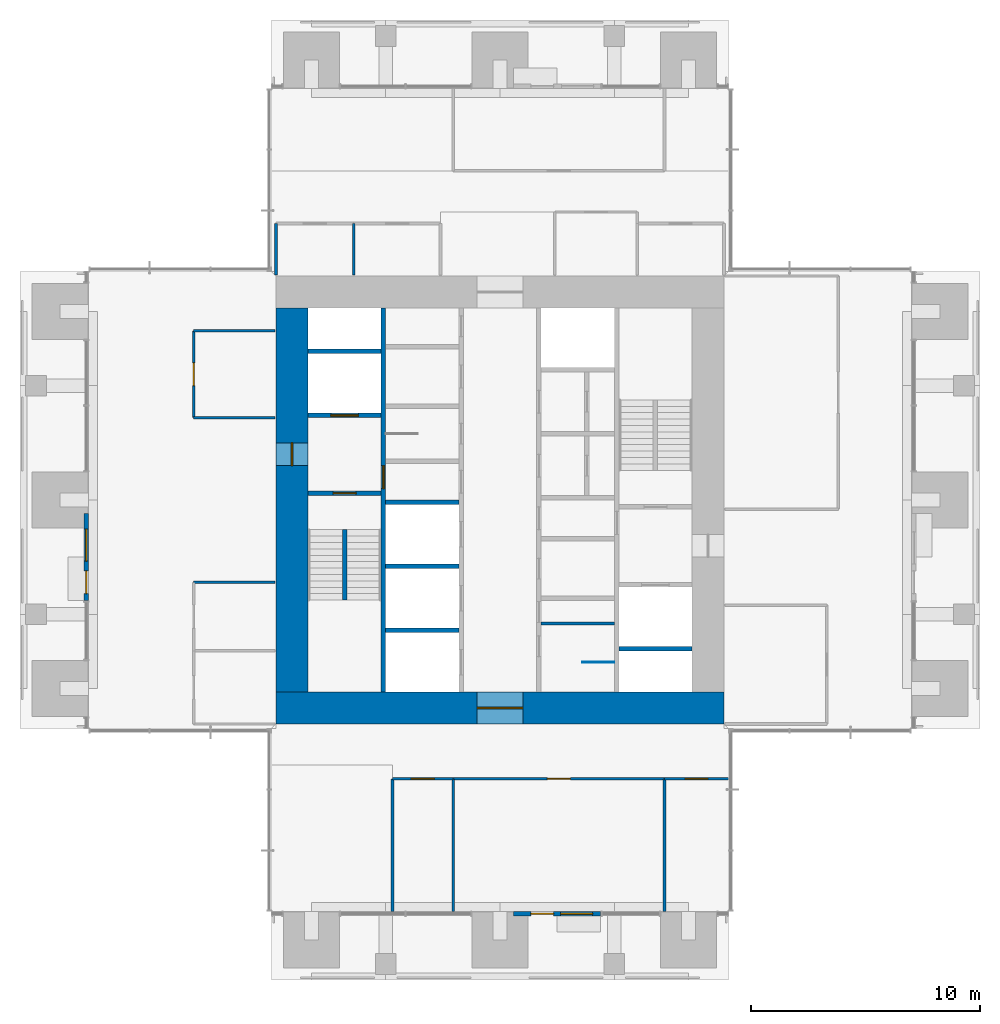
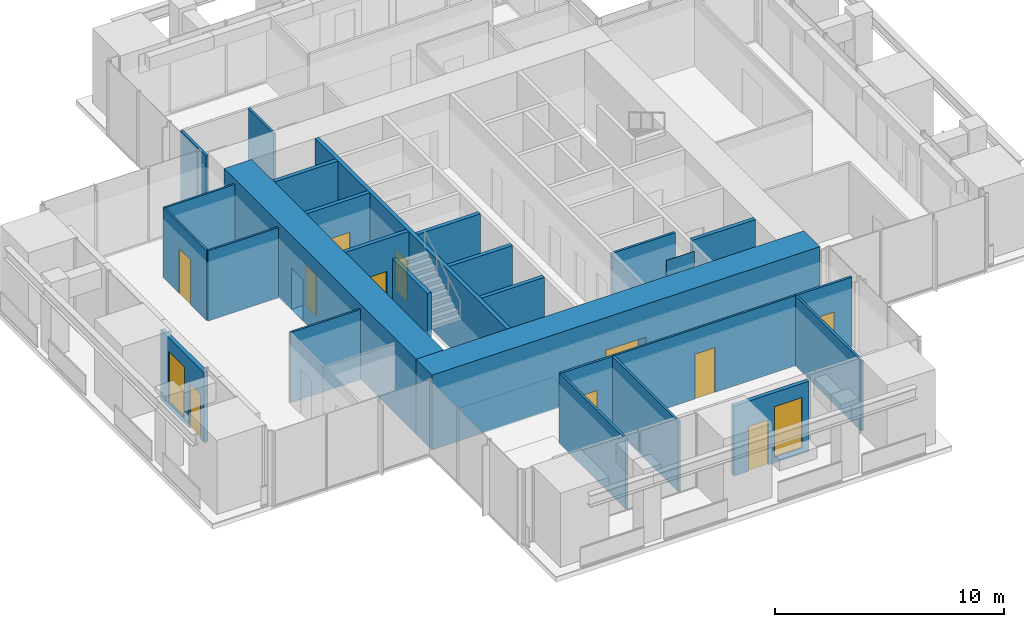
# One storey, part 12 of 17: 27 walls, 11 doors, 2 windows, 13 openings.
"""IFC4 building model written with IfcOpenShell, lengths in metres."""

import ifcopenshell
import ifcopenshell.guid

model = None  # the IFC model being written
_history = None  # IfcOwnerHistory: only IFC2X3 demands one
_inside = {}  # id of a spatial element -> (the spatial element, [elements in it])
_under = {}  # id of a project, library or spatial element -> (it, [spatial elements below it])
_declared = {}  # id of a project -> (the project, [libraries it declares])
_typed = {}  # id of a type object -> (the type object, [elements of that type])
_made_of = {}  # id of a material, layer set ... -> (it, [elements and type objects made of it])


def new_model(schema):
    """Start an empty IFC model of exactly this schema.

    Asked for "IFC4X3", IfcOpenShell would pick the latest addendum, in which some entities
    have other attributes; the version numbers below select the first issue.
    IFC2X3 requires an IfcOwnerHistory on every rooted entity: one is made here for all.
    """
    global model, _history
    if schema == "IFC4X3":
        model = ifcopenshell.file(schema_version=(4, 3, 0, 0))
    else:
        model = ifcopenshell.file(schema=schema)
    _inside.clear()
    _under.clear()
    _declared.clear()
    _typed.clear()
    _made_of.clear()
    _history = None
    if model.schema == "IFC2X3":
        org = make("IfcOrganization", Name="unknown")
        user = make(
            "IfcPersonAndOrganization",
            ThePerson=make("IfcPerson", FamilyName="unknown"),
            TheOrganization=org,
        )
        app = make(
            "IfcApplication",
            ApplicationDeveloper=org,
            Version="unknown",
            ApplicationFullName="unknown",
            ApplicationIdentifier="unknown",
        )
        _history = make(
            "IfcOwnerHistory",
            OwningUser=user,
            OwningApplication=app,
            ChangeAction="ADDED",
            CreationDate=0,
        )
    return model


def make(cls, **values):
    """One entity of the class cls with the attributes given. An attribute that is None is left unset."""
    return model.create_entity(
        cls, **{name: value for name, value in values.items() if value is not None}
    )


def rooted(cls, **values):
    """An entity with a GlobalId (a new one), such as an element, a storey or a relation."""
    return make(cls, GlobalId=ifcopenshell.guid.new(), OwnerHistory=_history, **values)


def si_unit(unit_type, name, prefix=None):
    """IfcSIUnit, for example si_unit("LENGTHUNIT", "METRE", prefix="MILLI")."""
    return make("IfcSIUnit", UnitType=unit_type, Prefix=prefix, Name=name)


def assignment(units):
    """IfcUnitAssignment: the units of a project."""
    return None if units is None else make("IfcUnitAssignment", Units=units)


def point(xyz):
    """IfcCartesianPoint."""
    return None if xyz is None else make("IfcCartesianPoint", Coordinates=xyz)


def direction(xyz):
    """IfcDirection."""
    return None if xyz is None else make("IfcDirection", DirectionRatios=xyz)


def frame(location, z_axis=None, x_axis=None):
    """IfcAxis2Placement3D, a coordinate frame: its origin and axes. An axis left out is left unset."""
    return make(
        "IfcAxis2Placement3D",
        Location=point(location),
        Axis=direction(z_axis),
        RefDirection=direction(x_axis),
    )


def frame_2d(location, x_axis=None):
    """IfcAxis2Placement2D, a coordinate frame in the plane: its origin and x axis."""
    return make(
        "IfcAxis2Placement2D", Location=point(location), RefDirection=direction(x_axis)
    )


def origin():
    """The frame at (0, 0, 0) with its axes left unset."""
    return frame((0.0, 0.0, 0.0))


def place(relative_to, where):
    """IfcLocalPlacement: puts the frame where relative to a parent placement (None: the world)."""
    return make(
        "IfcLocalPlacement", PlacementRelTo=relative_to, RelativePlacement=where
    )


def context(
    kind, dimensions, precision=None, world=None, true_north=None, identifier=None
):
    """IfcGeometricRepresentationContext, for example the 3D "Model" context."""
    return make(
        "IfcGeometricRepresentationContext",
        ContextIdentifier=identifier,
        ContextType=kind,
        CoordinateSpaceDimension=dimensions,
        Precision=precision,
        WorldCoordinateSystem=world,
        TrueNorth=true_north,
    )


def subcontext(parent, identifier, kind, view, scale=None):
    """IfcGeometricRepresentationSubContext, for example "Body" below "Model"."""
    return make(
        "IfcGeometricRepresentationSubContext",
        ContextIdentifier=identifier,
        ContextType=kind,
        ParentContext=parent,
        TargetScale=scale,
        TargetView=view,
    )


def project(units=None, contexts=None):
    """IfcProject with its units and contexts."""
    return rooted(
        "IfcProject",
        Name="project",
        RepresentationContexts=contexts,
        UnitsInContext=assignment(units),
    )


def spatial(cls, under=None, at=None, **own):
    """A site, building, storey or space (cls), placed at a placement, below another one or the project."""
    s = rooted(cls, ObjectPlacement=at, **own)
    if under is not None:
        _under.setdefault(under.id(), (under, []))[1].append(s)
    return s


def profile(cls, at=None, kind="AREA", **sizes):
    """A parametric profile (cls). Its sizes go by their IFC names, for example OverallWidth=200.0."""
    return make(cls, ProfileType=kind, Position=at, **sizes)


def rectangle(**sizes):
    """IfcRectangleProfileDef."""
    return profile("IfcRectangleProfileDef", **sizes)


def extrude(swept, where, along, depth):
    """IfcExtrudedAreaSolid: the profile swept, set in the frame where, extruded along a direction by depth."""
    return make(
        "IfcExtrudedAreaSolid",
        SweptArea=swept,
        Position=where,
        ExtrudedDirection=direction(along),
        Depth=depth,
    )


def shape(context_of_items, identifier, shape_type, items):
    """IfcShapeRepresentation: the items that make up one representation, for example the "Body"."""
    return make(
        "IfcShapeRepresentation",
        ContextOfItems=context_of_items,
        RepresentationIdentifier=identifier,
        RepresentationType=shape_type,
        Items=items,
    )


def material(Name=None, Category=None):
    """IfcMaterial."""
    return make("IfcMaterial", Name=Name, Category=Category)


def layer(
    of_material, thickness, ventilated=None, Name=None, Category=None, Priority=None
):
    """IfcMaterialLayer: one layer of a wall or slab, of a material (None: an air gap)."""
    return make(
        "IfcMaterialLayer",
        Material=of_material,
        LayerThickness=thickness,
        IsVentilated=ventilated,
        Name=Name,
        Category=Category,
        Priority=Priority,
    )


def layer_set(layers, Name=None):
    """IfcMaterialLayerSet."""
    return make("IfcMaterialLayerSet", MaterialLayers=layers, LayerSetName=Name)


def made_of(thing, what):
    """Note that an element or type object is made of a material, layer set ...; save() writes the relation."""
    if what is not None:
        _made_of.setdefault(what.id(), (what, []))[1].append(thing)
    return thing


def type_object(cls, material=None, **own):
    """A type object (cls), such as IfcWallType, which elements share."""
    return made_of(rooted(cls, **own), material)


def element(
    cls,
    number,
    at=None,
    inside=None,
    cuts=None,
    type_object=None,
    material=None,
    context=None,
    identifier="Body",
    shape_type=None,
    held_by="IfcProductDefinitionShape",
    body=None,
    shapes=None,
    **own,
):
    """One element of the class cls, such as IfcWall. Its Tag is "e" and its number.

    at: its placement. inside: the storey or other place that contains it. cuts: it is an
    opening in that element (IfcRelVoidsElement). A single representation is given by context,
    identifier, shape_type and body (its items); several are given by shapes. held_by: the class
    of the entity that holds the representations. save() writes the other relations.
    """
    e = rooted(cls, Tag="e%d" % number, ObjectPlacement=at, **own)
    if body is not None:
        shapes = [shape(context, identifier, shape_type, body)]
    if shapes is not None:
        e.Representation = make(held_by, Representations=shapes)
    if inside is not None:
        _inside.setdefault(inside.id(), (inside, []))[1].append(e)
    if cuts is not None:
        rooted(
            "IfcRelVoidsElement", RelatingBuildingElement=cuts, RelatedOpeningElement=e
        )
    if type_object is not None:
        _typed.setdefault(type_object.id(), (type_object, []))[1].append(e)
    return made_of(e, material)


def fill(opening, filler):
    """IfcRelFillsElement: the door or window that sits in an opening."""
    return rooted(
        "IfcRelFillsElement",
        RelatingOpeningElement=opening,
        RelatedBuildingElement=filler,
    )


def aggregate(whole, parts):
    """IfcRelAggregates: a whole, such as a stair, and the parts it consists of."""
    return rooted("IfcRelAggregates", RelatingObject=whole, RelatedObjects=parts)


def save(model, path):
    """Write the relations noted so far, then the file.

    IfcRelAggregates (storeys below a building ...), IfcRelContainedInSpatialStructure (elements
    in a storey), IfcRelDefinesByType, IfcRelAssociatesMaterial and IfcRelDeclares: one each for
    every whole, place, type object, material and project.
    """
    for whole, parts in _under.values():
        aggregate(whole, parts)
    for where, things in _inside.values():
        rooted(
            "IfcRelContainedInSpatialStructure",
            RelatedElements=things,
            RelatingStructure=where,
        )
    for kind, things in _typed.values():
        rooted("IfcRelDefinesByType", RelatedObjects=things, RelatingType=kind)
    for what, things in _made_of.values():
        rooted("IfcRelAssociatesMaterial", RelatedObjects=things, RelatingMaterial=what)
    for by, libraries in _declared.values():
        rooted("IfcRelDeclares", RelatingContext=by, RelatedDefinitions=libraries)
    model.write(path)


model = new_model("IFC4")

# Units and contexts
model_context = context("Model", 3, precision=1e-05, world=origin(), true_north=direction((0.0, 1.0)))
body_context = subcontext(model_context, "Body", "Model", "MODEL_VIEW")
ifc_project = project(units=[si_unit("LENGTHUNIT", "METRE"), si_unit("AREAUNIT", "SQUARE_METRE"), si_unit("VOLUMEUNIT", "CUBIC_METRE"), si_unit("PLANEANGLEUNIT", "RADIAN"), si_unit("MASSUNIT", "GRAM", prefix="KILO")], contexts=[model_context])

# Site, building, storey
site_placement = place(None, origin())
site = spatial("IfcSite", under=ifc_project, at=site_placement, CompositionType="ELEMENT")
building_placement = place(site_placement, origin())
building = spatial("IfcBuilding", under=site, at=building_placement, Name="Svetlomir Tower", CompositionType="ELEMENT")
storey_placement = place(building_placement, frame((0.0, 0.0, 218.5)))
storey = spatial("IfcBuildingStorey", under=building, at=storey_placement, Name="L52", CompositionType="ELEMENT", Elevation=218.5)

# Wall, openings, door, window
ifc_material_1 = material(Name="Bronze anodised aluminium glazed screen", Category="aluminium")
ifc_layer_1 = layer(ifc_material_1, 0.199951171875)
ifc_layer_set_1 = layer_set([ifc_layer_1], Name="Bronze anodised aluminium glazed screen")
wall_type_1 = type_object("IfcWallType", Name="BALCONY SCREEN WALL 200", PredefinedType="USERDEFINED", material=ifc_layer_set_1)
wall_1_placement = place(storey_placement, frame((21.60009765625, 2.89990234375, 0.0), z_axis=(0.0, 0.0, 1.0), x_axis=(1.0, 0.0, 0.0)))
wall_1 = element("IfcWall", 1, at=wall_1_placement, inside=storey, type_object=wall_type_1, Name="Balcony screen S", ObjectType="GLAZED SCREEN", PredefinedType="USERDEFINED", context=body_context, shape_type="SweptSolid", body=[
    extrude(rectangle(XDim=3.7998046875, YDim=0.199951171875, at=frame_2d((1.89990234375, 0.0))), origin(), (0.0, 0.0, 1.0), 3.75),
])
opening_1_placement = place(wall_1_placement, frame((0.75, 0.0, 0.0)))
opening_1 = element("IfcOpeningElement", 2, at=opening_1_placement, cuts=wall_1, Name="Opening BD", PredefinedType="OPENING", context=body_context, shape_type="SweptSolid", body=[
    extrude(rectangle(XDim=1.0, YDim=2.39990234375, at=frame_2d((0.5, 1.199951171875))), frame((0.0, 0.10986328125, 0.0), z_axis=(0.0, -1.0, 0.0), x_axis=(1.0, 0.0, 0.0)), (0.0, 0.0, 1.0), 0.219970703125),
])
opening_2_placement = place(wall_1_placement, frame((2.050048828125, 0.0, 0.300048828125)))
opening_2 = element("IfcOpeningElement", 3, at=opening_2_placement, cuts=wall_1, Name="Opening WS2", PredefinedType="OPENING", context=body_context, shape_type="SweptSolid", body=[
    extrude(rectangle(XDim=1.39990234375, YDim=2.699951171875, at=frame_2d((0.699951171875, 1.35009765625))), frame((0.0, 0.10986328125, 0.0), z_axis=(0.0, -1.0, 0.0), x_axis=(1.0, 0.0, 0.0)), (0.0, 0.0, 1.0), 0.219970703125),
])
ifc_material_2 = material(Name="Bronze anodised aluminium glazed door", Category="aluminium")
door_type_1 = type_object("IfcDoorType", Name="BALCONY DOOR BD 1000x2400", OperationType="SINGLE_SWING_LEFT", PredefinedType="DOOR", material=ifc_material_2)
door_1_placement = place(opening_1_placement, origin())
door_1 = element("IfcDoor", 4, at=door_1_placement, inside=storey, type_object=door_type_1, Name="Balcony screen S door", OperationType="SINGLE_SWING_LEFT", OverallHeight=2.39990234375, OverallWidth=1.0, PredefinedType="DOOR", context=body_context, shape_type="SweptSolid", body=[
    extrude(rectangle(XDim=1.0, YDim=2.39990234375, at=frame_2d((0.5, 1.199951171875))), frame((0.0, 0.02490234375, 0.0), z_axis=(0.0, -1.0, 0.0), x_axis=(1.0, 0.0, 0.0)), (0.0, 0.0, 1.0), 0.050048828125),
])
fill(opening_1, door_1)
ifc_material_3 = material(Name="Bronze anodised aluminium window", Category="aluminium")
window_type = type_object("IfcWindowType", Name="SCREEN WINDOW WS2 1400x2700", PartitioningType="SINGLE_PANEL", PredefinedType="WINDOW", material=ifc_material_3)
window_1_placement = place(opening_2_placement, origin())
window_1 = element("IfcWindow", 5, at=window_1_placement, inside=storey, type_object=window_type, Name="Balcony screen S window 1", OverallHeight=2.699951171875, OverallWidth=1.39990234375, PartitioningType="SINGLE_PANEL", PredefinedType="WINDOW", context=body_context, shape_type="SweptSolid", body=[
    extrude(rectangle(XDim=1.39990234375, YDim=2.699951171875, at=frame_2d((0.699951171875, 1.35009765625))), frame((0.0, 0.030029296875, 0.0), z_axis=(0.0, -1.0, 0.0), x_axis=(1.0, 0.0, 0.0)), (0.0, 0.0, 1.0), 0.06005859375),
])
fill(opening_2, window_1)

wall_2_placement = place(storey_placement, frame((2.89990234375, 20.39990234375, 0.0), z_axis=(0.0, 0.0, 1.0), x_axis=(0.0, -1.0, 0.0)))
wall_2 = element("IfcWall", 6, at=wall_2_placement, inside=storey, type_object=wall_type_1, Name="Balcony screen W", ObjectType="GLAZED SCREEN", PredefinedType="USERDEFINED", context=body_context, shape_type="SweptSolid", body=[
    extrude(rectangle(XDim=3.7998046875, YDim=0.199951171875, at=frame_2d((1.89990234375, 0.0))), origin(), (0.0, 0.0, 1.0), 3.75),
])
opening_3_placement = place(wall_2_placement, frame((2.5, 0.0, 0.0)))
opening_3 = element("IfcOpeningElement", 7, at=opening_3_placement, cuts=wall_2, Name="Opening BD", PredefinedType="OPENING", context=body_context, shape_type="SweptSolid", body=[
    extrude(rectangle(XDim=1.0, YDim=2.39990234375, at=frame_2d((0.5, 1.199951171875))), frame((0.0, 0.10986328125, 0.0), z_axis=(0.0, -1.0, 0.0), x_axis=(1.0, 0.0, 0.0)), (0.0, 0.0, 1.0), 0.219970703125),
])
opening_4_placement = place(wall_2_placement, frame((0.675048828125, 0.0, 0.300048828125)))
opening_4 = element("IfcOpeningElement", 8, at=opening_4_placement, cuts=wall_2, Name="Opening WS2", PredefinedType="OPENING", context=body_context, shape_type="SweptSolid", body=[
    extrude(rectangle(XDim=1.39990234375, YDim=2.699951171875, at=frame_2d((0.699951171875, 1.35009765625))), frame((0.0, 0.10986328125, 0.0), z_axis=(0.0, -1.0, 0.0), x_axis=(1.0, 0.0, 0.0)), (0.0, 0.0, 1.0), 0.219970703125),
])
door_2_placement = place(opening_3_placement, origin())
door_2 = element("IfcDoor", 9, at=door_2_placement, inside=storey, type_object=door_type_1, Name="Balcony screen W door", OperationType="SINGLE_SWING_LEFT", OverallHeight=2.39990234375, OverallWidth=1.0, PredefinedType="DOOR", context=body_context, shape_type="SweptSolid", body=[
    extrude(rectangle(XDim=1.0, YDim=2.39990234375, at=frame_2d((0.5, 1.199951171875))), frame((0.0, 0.02490234375, 0.0), z_axis=(0.0, -1.0, 0.0), x_axis=(1.0, 0.0, 0.0)), (0.0, 0.0, 1.0), 0.050048828125),
])
fill(opening_3, door_2)
window_2_placement = place(opening_4_placement, origin())
window_2 = element("IfcWindow", 10, at=window_2_placement, inside=storey, type_object=window_type, Name="Balcony screen W window 1", OverallHeight=2.699951171875, OverallWidth=1.39990234375, PartitioningType="SINGLE_PANEL", PredefinedType="WINDOW", context=body_context, shape_type="SweptSolid", body=[
    extrude(rectangle(XDim=1.39990234375, YDim=2.699951171875, at=frame_2d((0.699951171875, 1.35009765625))), frame((0.0, 0.030029296875, 0.0), z_axis=(0.0, -1.0, 0.0), x_axis=(1.0, 0.0, 0.0)), (0.0, 0.0, 1.0), 0.06005859375),
])
fill(opening_4, window_2)

# Wall, opening, door
ifc_material_4 = material(Name="Concrete C60/75", Category="concrete")
ifc_layer_2 = layer(ifc_material_4, 0.199951171875)
ifc_layer_set_2 = layer_set([ifc_layer_2], Name="Concrete C60/75")
wall_type_2 = type_object("IfcWallType", Name="CORE INNER WALL 200", PredefinedType="SHEAR", material=ifc_layer_set_2)
wall_3_placement = place(storey_placement, frame((15.89990234375, 12.60009765625, -0.050048828125), z_axis=(0.0, 0.0, 1.0), x_axis=(0.0, 1.0, 0.0)))
wall_3 = element("IfcWall", 11, at=wall_3_placement, inside=storey, type_object=wall_type_2, Name="Core inner wall 15.9 L52", PredefinedType="SHEAR", context=body_context, shape_type="SweptSolid", body=[
    extrude(rectangle(XDim=16.7998046875, YDim=0.199951171875, at=frame_2d((8.39990234375, 0.0))), origin(), (0.0, 0.0, 1.0), 4.0),
])
opening_5_placement = place(wall_3_placement, frame((8.89990234375, 0.0, 0.050048828125)))
opening_5 = element("IfcOpeningElement", 12, at=opening_5_placement, cuts=wall_3, Name="Opening DF", PredefinedType="OPENING", context=body_context, shape_type="SweptSolid", body=[
    extrude(rectangle(XDim=1.0, YDim=2.199951171875, at=frame_2d((0.5, 1.10009765625))), frame((0.0, 0.10986328125, 0.0), z_axis=(0.0, -1.0, 0.0), x_axis=(1.0, 0.0, 0.0)), (0.0, 0.0, 1.0), 0.219970703125),
])
ifc_material_5 = material(Name="Steel fire door", Category="steel")
door_type_2 = type_object("IfcDoorType", Name="DOOR DF 1000x2200", OperationType="SINGLE_SWING_LEFT", PredefinedType="DOOR", material=ifc_material_5)
door_3_placement = place(opening_5_placement, origin())
door_3 = element("IfcDoor", 13, at=door_3_placement, inside=storey, type_object=door_type_2, Name="Core corridor west door L52", OperationType="SINGLE_SWING_LEFT", OverallHeight=2.199951171875, OverallWidth=1.0, PredefinedType="DOOR", context=body_context, shape_type="SweptSolid", body=[
    extrude(rectangle(XDim=1.0, YDim=2.199951171875, at=frame_2d((0.5, 1.10009765625))), frame((0.0, 0.02490234375, 0.0), z_axis=(0.0, -1.0, 0.0), x_axis=(1.0, 0.0, 0.0)), (0.0, 0.0, 1.0), 0.050048828125),
])
fill(opening_5, door_3)

wall_4_placement = place(storey_placement, frame((12.60009765625, 21.300048828125, -0.050048828125), z_axis=(0.0, 0.0, 1.0), x_axis=(1.0, 0.0, 0.0)))
wall_4 = element("IfcWall", 14, at=wall_4_placement, inside=storey, type_object=wall_type_2, Name="Core inner wall 12.6-15.8/21.3 L52", PredefinedType="SHEAR", context=body_context, shape_type="SweptSolid", body=[
    extrude(rectangle(XDim=3.199951171875, YDim=0.199951171875, at=frame_2d((1.60009765625, 0.0))), origin(), (0.0, 0.0, 1.0), 4.0),
])
opening_6_placement = place(wall_4_placement, frame((1.10009765625, 0.0, 0.050048828125)))
opening_6 = element("IfcOpeningElement", 15, at=opening_6_placement, cuts=wall_4, Name="Opening DF", PredefinedType="OPENING", context=body_context, shape_type="SweptSolid", body=[
    extrude(rectangle(XDim=1.0, YDim=2.199951171875, at=frame_2d((0.5, 1.10009765625))), frame((0.0, 0.10986328125, 0.0), z_axis=(0.0, -1.0, 0.0), x_axis=(1.0, 0.0, 0.0)), (0.0, 0.0, 1.0), 0.219970703125),
])
door_4_placement = place(opening_6_placement, origin())
door_4 = element("IfcDoor", 16, at=door_4_placement, inside=storey, type_object=door_type_2, Name="Stair S1 door L52", OperationType="SINGLE_SWING_RIGHT", OverallHeight=2.199951171875, OverallWidth=1.0, PredefinedType="DOOR", context=body_context, shape_type="SweptSolid", body=[
    extrude(rectangle(XDim=1.0, YDim=2.199951171875, at=frame_2d((0.5, 1.10009765625))), frame((0.0, 0.02490234375, 0.0), z_axis=(0.0, -1.0, 0.0), x_axis=(1.0, 0.0, 0.0)), (0.0, 0.0, 1.0), 0.050048828125),
])
fill(opening_6, door_4)

wall_5_placement = place(storey_placement, frame((12.60009765625, 24.699951171875, -0.050048828125), z_axis=(0.0, 0.0, 1.0), x_axis=(1.0, 0.0, 0.0)))
wall_5 = element("IfcWall", 17, at=wall_5_placement, inside=storey, type_object=wall_type_2, Name="Core inner wall 12.6-15.8/24.7 L52", PredefinedType="SHEAR", context=body_context, shape_type="SweptSolid", body=[
    extrude(rectangle(XDim=3.199951171875, YDim=0.199951171875, at=frame_2d((1.60009765625, 0.0))), origin(), (0.0, 0.0, 1.0), 4.0),
])
opening_7_placement = place(wall_5_placement, frame((1.0, 0.0, 0.050048828125)))
opening_7 = element("IfcOpeningElement", 18, at=opening_7_placement, cuts=wall_5, Name="Opening LD3", PredefinedType="OPENING", context=body_context, shape_type="SweptSolid", body=[
    extrude(rectangle(XDim=1.199951171875, YDim=2.199951171875, at=frame_2d((0.60009765625, 1.10009765625))), frame((0.0, 0.10986328125, 0.0), z_axis=(0.0, -1.0, 0.0), x_axis=(1.0, 0.0, 0.0)), (0.0, 0.0, 1.0), 0.219970703125),
])
ifc_material_6 = material(Name="Stainless steel fire-rated landing door", Category="steel")
door_type_3 = type_object("IfcDoorType", Name="FIREFIGHTING LIFT LANDING DOOR LD3 1200x2200", OperationType="DOUBLE_DOOR_SLIDING", PredefinedType="DOOR", material=ifc_material_6)
door_5_placement = place(opening_7_placement, origin())
door_5 = element("IfcDoor", 19, at=door_5_placement, inside=storey, type_object=door_type_3, Name="Landing door lift FL1 L52", OperationType="DOUBLE_DOOR_SLIDING", OverallHeight=2.199951171875, OverallWidth=1.199951171875, PredefinedType="DOOR", context=body_context, shape_type="SweptSolid", body=[
    extrude(rectangle(XDim=1.199951171875, YDim=2.199951171875, at=frame_2d((0.60009765625, 1.10009765625))), frame((0.0, 0.02490234375, 0.0), z_axis=(0.0, -1.0, 0.0), x_axis=(1.0, 0.0, 0.0)), (0.0, 0.0, 1.0), 0.050048828125),
])
fill(opening_7, door_5)

# Walls
for number, where, z_axis, x_axis, name in (
    (20, (12.60009765625, 27.5, -0.050048828125), (0.0, 0.0, 1.0), (1.0, 0.0, 0.0), "Core inner wall 12.6-15.8/27.5 L52"),
    (21, (16.0, 15.300048828125, -0.050048828125), (0.0, 0.0, 1.0), (1.0, 0.0, 0.0), "Core inner wall 16-19.2/15.3 L52"),
    (22, (16.0, 18.10009765625, -0.050048828125), (0.0, 0.0, 1.0), (1.0, 0.0, 0.0), "Core inner wall 16-19.2/18.1 L52"),
    (23, (16.0, 20.89990234375, -0.050048828125), (0.0, 0.0, 1.0), (1.0, 0.0, 0.0), "Core inner wall 16-19.2/20.9 L52"),
    (24, (26.199951171875, 14.5, -0.050048828125), (0.0, 0.0, 1.0), (1.0, 0.0, 0.0), "Core inner wall 26.2-29.4/14.5 L52"),
):
    element("IfcWall", number, at=place(storey_placement, frame(where, z_axis=z_axis, x_axis=x_axis)), inside=storey, type_object=wall_type_2, Name=name, PredefinedType="SHEAR", context=body_context, shape_type="SweptSolid", body=[
        extrude(rectangle(XDim=3.199951171875, YDim=0.199951171875, at=frame_2d((1.60009765625, 0.0))), origin(), (0.0, 0.0, 1.0), 4.0),
    ])

# Wall, opening, door
ifc_material_7 = material(Name="Concrete C60/75", Category="concrete")
ifc_layer_3 = layer(ifc_material_7, 1.39990234375)
ifc_layer_set_3 = layer_set([ifc_layer_3], Name="Concrete C60/75")
wall_type_3 = type_object("IfcWallType", Name="CORE WALL 1400", PredefinedType="SHEAR", material=ifc_layer_set_3)
wall_6_placement = place(storey_placement, frame((11.199951171875, 11.89990234375, -0.050048828125), z_axis=(0.0, 0.0, 1.0), x_axis=(1.0, 0.0, 0.0)))
wall_6 = element("IfcWall", 25, at=wall_6_placement, inside=storey, type_object=wall_type_3, Name="Core wall south L52", PredefinedType="SHEAR", context=body_context, shape_type="SweptSolid", body=[
    extrude(rectangle(XDim=19.60009765625, YDim=1.39990234375, at=frame_2d((9.800048828125, 0.0))), origin(), (0.0, 0.0, 1.0), 4.0),
])
opening_8_placement = place(wall_6_placement, frame((8.800048828125, 0.0, 0.050048828125)))
opening_8 = element("IfcOpeningElement", 26, at=opening_8_placement, cuts=wall_6, Name="Opening DL", PredefinedType="OPENING", context=body_context, shape_type="SweptSolid", body=[
    extrude(rectangle(XDim=2.0, YDim=2.199951171875, at=frame_2d((1.0, 1.10009765625))), frame((0.0, 0.7099609375, 0.0), z_axis=(0.0, -1.0, 0.0), x_axis=(1.0, 0.0, 0.0)), (0.0, 0.0, 1.0), 1.419921875),
])
ifc_material_8 = material(Name="Steel fire door", Category="steel")
door_type_4 = type_object("IfcDoorType", Name="DOOR DL 2000x2200", OperationType="DOUBLE_DOOR_SINGLE_SWING", PredefinedType="DOOR", material=ifc_material_8)
door_6_placement = place(opening_8_placement, origin())
door_6 = element("IfcDoor", 27, at=door_6_placement, inside=storey, type_object=door_type_4, Name="Lift lobby south door L52", OperationType="DOUBLE_DOOR_SINGLE_SWING", OverallHeight=2.199951171875, OverallWidth=2.0, PredefinedType="DOOR", context=body_context, shape_type="SweptSolid", body=[
    extrude(rectangle(XDim=2.0, YDim=2.199951171875, at=frame_2d((1.0, 1.10009765625))), frame((0.0, 0.02490234375, 0.0), z_axis=(0.0, -1.0, 0.0), x_axis=(1.0, 0.0, 0.0)), (0.0, 0.0, 1.0), 0.050048828125),
])
fill(opening_8, door_6)

wall_7_placement = place(storey_placement, frame((11.89990234375, 12.60009765625, -0.050048828125), z_axis=(0.0, 0.0, 1.0), x_axis=(0.0, 1.0, 0.0)))
wall_7 = element("IfcWall", 28, at=wall_7_placement, inside=storey, type_object=wall_type_3, Name="Core wall west L52", PredefinedType="SHEAR", context=body_context, shape_type="SweptSolid", body=[
    extrude(rectangle(XDim=16.7998046875, YDim=1.39990234375, at=frame_2d((8.39990234375, 0.0))), origin(), (0.0, 0.0, 1.0), 4.0),
])
opening_9_placement = place(wall_7_placement, frame((9.89990234375, 0.0, 0.050048828125)))
opening_9 = element("IfcOpeningElement", 29, at=opening_9_placement, cuts=wall_7, Name="Opening DF", PredefinedType="OPENING", context=body_context, shape_type="SweptSolid", body=[
    extrude(rectangle(XDim=1.0, YDim=2.199951171875, at=frame_2d((0.5, 1.10009765625))), frame((0.0, 0.7099609375, 0.0), z_axis=(0.0, -1.0, 0.0), x_axis=(1.0, 0.0, 0.0)), (0.0, 0.0, 1.0), 1.419921875),
])
door_7_placement = place(opening_9_placement, origin())
door_7 = element("IfcDoor", 30, at=door_7_placement, inside=storey, type_object=door_type_2, Name="Firefighting lobby west door L52", OperationType="SINGLE_SWING_RIGHT", OverallHeight=2.199951171875, OverallWidth=1.0, PredefinedType="DOOR", context=body_context, shape_type="SweptSolid", body=[
    extrude(rectangle(XDim=1.0, YDim=2.199951171875, at=frame_2d((0.5, 1.10009765625))), frame((0.0, 0.02490234375, 0.0), z_axis=(0.0, -1.0, 0.0), x_axis=(1.0, 0.0, 0.0)), (0.0, 0.0, 1.0), 0.050048828125),
])
fill(opening_9, door_7)

# Wall
ifc_material_9 = material(Name="Framed laminated glass partition", Category="glass")
ifc_layer_4 = layer(ifc_material_9, 0.10009765625)
ifc_layer_set_4 = layer_set([ifc_layer_4], Name="Framed laminated glass partition")
wall_type_4 = type_object("IfcWallType", Name="GLAZED PARTITION 100", PredefinedType="PARTITIONING", material=ifc_layer_set_4)
wall_8_placement = place(storey_placement, frame((7.60009765625, 17.39990234375, 0.0), z_axis=(0.0, 0.0, 1.0), x_axis=(1.0, 0.0, 0.0)))
element("IfcWall", 31, at=wall_8_placement, inside=storey, type_object=wall_type_4, Name="Glazed partition L52", PredefinedType="PARTITIONING", context=body_context, shape_type="SweptSolid", body=[
    extrude(rectangle(XDim=3.5498046875, YDim=0.10009765625, at=frame_2d((1.77490234375, 0.0))), origin(), (0.0, 0.0, 1.0), 3.75),
])

# Wall, opening, door
wall_9_placement = place(storey_placement, frame((7.60009765625, 24.60009765625, 0.0), z_axis=(0.0, 0.0, 1.0), x_axis=(0.0, 1.0, 0.0)))
wall_9 = element("IfcWall", 32, at=wall_9_placement, inside=storey, type_object=wall_type_4, Name="Glazed partition L52", PredefinedType="PARTITIONING", context=body_context, shape_type="SweptSolid", body=[
    extrude(rectangle(XDim=3.7998046875, YDim=0.10009765625, at=frame_2d((1.89990234375, 0.0))), origin(), (0.0, 0.0, 1.0), 3.75),
])
opening_10_placement = place(wall_9_placement, frame((1.39990234375, 0.0, 0.0)))
opening_10 = element("IfcOpeningElement", 33, at=opening_10_placement, cuts=wall_9, Name="Opening DG", PredefinedType="OPENING", context=body_context, shape_type="SweptSolid", body=[
    extrude(rectangle(XDim=1.0, YDim=2.39990234375, at=frame_2d((0.5, 1.199951171875))), frame((0.0, 0.06005859375, 0.0), z_axis=(0.0, -1.0, 0.0), x_axis=(1.0, 0.0, 0.0)), (0.0, 0.0, 1.0), 0.1201171875),
])
ifc_material_10 = material(Name="Framed laminated glass door", Category="glass")
door_type_5 = type_object("IfcDoorType", Name="GLAZED DOOR DG 1000x2400", OperationType="SINGLE_SWING_LEFT", PredefinedType="DOOR", material=ifc_material_10)
door_8_placement = place(opening_10_placement, origin())
door_8 = element("IfcDoor", 34, at=door_8_placement, inside=storey, type_object=door_type_5, Name="Grant applicants' interview room door L52", OperationType="SINGLE_SWING_LEFT", OverallHeight=2.39990234375, OverallWidth=1.0, PredefinedType="DOOR", context=body_context, shape_type="SweptSolid", body=[
    extrude(rectangle(XDim=1.0, YDim=2.39990234375, at=frame_2d((0.5, 1.199951171875))), frame((0.0, 0.02490234375, 0.0), z_axis=(0.0, -1.0, 0.0), x_axis=(1.0, 0.0, 0.0)), (0.0, 0.0, 1.0), 0.050048828125),
])
fill(opening_10, door_8)

# Walls
for number, where, z_axis, x_axis, name in (
    (35, (7.60009765625, 24.60009765625, 0.0), (0.0, 0.0, 1.0), (1.0, 0.0, 0.0), "Glazed partition L52"),
    (36, (7.60009765625, 28.39990234375, 0.0), (0.0, 0.0, 1.0), (1.0, 0.0, 0.0), "Glazed partition L52"),
):
    element("IfcWall", number, at=place(storey_placement, frame(where, z_axis=z_axis, x_axis=x_axis)), inside=storey, type_object=wall_type_4, Name=name, PredefinedType="PARTITIONING", context=body_context, shape_type="SweptSolid", body=[
        extrude(rectangle(XDim=3.5498046875, YDim=0.10009765625, at=frame_2d((1.77490234375, 0.0))), origin(), (0.0, 0.0, 1.0), 3.75),
    ])

# Wall, opening, door
wall_10_placement = place(storey_placement, frame((18.949951171875, 8.800048828125, 0.0), z_axis=(0.0, 0.0, 1.0), x_axis=(1.0, 0.0, 0.0)))
wall_10 = element("IfcWall", 37, at=wall_10_placement, inside=storey, type_object=wall_type_4, Name="Glazed partition L52", PredefinedType="PARTITIONING", context=body_context, shape_type="SweptSolid", body=[
    extrude(rectangle(XDim=9.25, YDim=0.10009765625, at=frame_2d((4.625, 0.0))), origin(), (0.0, 0.0, 1.0), 3.75),
])
opening_11_placement = place(wall_10_placement, frame((4.125, 0.0, 0.0)))
opening_11 = element("IfcOpeningElement", 38, at=opening_11_placement, cuts=wall_10, Name="Opening DG", PredefinedType="OPENING", context=body_context, shape_type="SweptSolid", body=[
    extrude(rectangle(XDim=1.0, YDim=2.39990234375, at=frame_2d((0.5, 1.199951171875))), frame((0.0, 0.06005859375, 0.0), z_axis=(0.0, -1.0, 0.0), x_axis=(1.0, 0.0, 0.0)), (0.0, 0.0, 1.0), 0.1201171875),
])
door_9_placement = place(opening_11_placement, origin())
door_9 = element("IfcDoor", 39, at=door_9_placement, inside=storey, type_object=door_type_5, Name="Foundation lounge and kitchenette door L52", OperationType="SINGLE_SWING_RIGHT", OverallHeight=2.39990234375, OverallWidth=1.0, PredefinedType="DOOR", context=body_context, shape_type="SweptSolid", body=[
    extrude(rectangle(XDim=1.0, YDim=2.39990234375, at=frame_2d((0.5, 1.199951171875))), frame((0.0, 0.02490234375, 0.0), z_axis=(0.0, -1.0, 0.0), x_axis=(1.0, 0.0, 0.0)), (0.0, 0.0, 1.0), 0.050048828125),
])
fill(opening_11, door_9)

# Walls
ifc_material_11 = material(Name="Gypsum board on steel studs", Category="steel")
ifc_layer_5 = layer(ifc_material_11, 0.1201171875)
ifc_layer_set_5 = layer_set([ifc_layer_5], Name="Gypsum board on steel studs")
wall_type_5 = type_object("IfcWallType", Name="PARTITION 120", PredefinedType="PARTITIONING", material=ifc_layer_set_5)
wall_11_placement = place(storey_placement, frame((22.800048828125, 15.60009765625, 0.0), z_axis=(0.0, 0.0, 1.0), x_axis=(1.0, 0.0, 0.0)))
element("IfcWall", 40, at=wall_11_placement, inside=storey, type_object=wall_type_5, Name="Shower room partition L52", PredefinedType="PARTITIONING", context=body_context, shape_type="SweptSolid", body=[
    extrude(rectangle(XDim=3.199951171875, YDim=0.1201171875, at=frame_2d((1.60009765625, 0.0))), origin(), (0.0, 0.0, 1.0), 3.75),
])
for number, where, z_axis, x_axis, name in (
    (41, (11.199951171875, 30.85009765625, 0.0), (0.0, 0.0, 1.0), (0.0, 1.0, 0.0), "Partition L52"),
    (42, (14.60009765625, 30.85009765625, 0.0), (0.0, 0.0, 1.0), (0.0, 1.0, 0.0), "Partition L52"),
):
    element("IfcWall", number, at=place(storey_placement, frame(where, z_axis=z_axis, x_axis=x_axis)), inside=storey, type_object=wall_type_5, Name=name, PredefinedType="PARTITIONING", context=body_context, shape_type="SweptSolid", body=[
        extrude(rectangle(XDim=2.25, YDim=0.1201171875, at=frame_2d((1.125, 0.0))), origin(), (0.0, 0.0, 1.0), 3.75),
    ])
wall_12_placement = place(storey_placement, frame((16.300048828125, 3.0, 0.0), z_axis=(0.0, 0.0, 1.0), x_axis=(0.0, 1.0, 0.0)))
element("IfcWall", 43, at=wall_12_placement, inside=storey, type_object=wall_type_5, Name="Partition L52", PredefinedType="PARTITIONING", context=body_context, shape_type="SweptSolid", body=[
    extrude(rectangle(XDim=5.800048828125, YDim=0.1201171875, at=frame_2d((2.89990234375, 0.0))), origin(), (0.0, 0.0, 1.0), 3.75),
])

# Wall, opening, door
wall_13_placement = place(storey_placement, frame((16.300048828125, 8.800048828125, 0.0), z_axis=(0.0, 0.0, 1.0), x_axis=(1.0, 0.0, 0.0)))
wall_13 = element("IfcWall", 44, at=wall_13_placement, inside=storey, type_object=wall_type_5, Name="Partition L52", PredefinedType="PARTITIONING", context=body_context, shape_type="SweptSolid", body=[
    extrude(rectangle(XDim=2.64990234375, YDim=0.1201171875, at=frame_2d((1.324951171875, 0.0))), origin(), (0.0, 0.0, 1.0), 3.75),
])
opening_12_placement = place(wall_13_placement, frame((0.824951171875, 0.0, 0.0)))
opening_12 = element("IfcOpeningElement", 45, at=opening_12_placement, cuts=wall_13, Name="Opening DR", PredefinedType="OPENING", context=body_context, shape_type="SweptSolid", body=[
    extrude(rectangle(XDim=1.0, YDim=2.199951171875, at=frame_2d((0.5, 1.10009765625))), frame((0.0, 0.070068359375, 0.0), z_axis=(0.0, -1.0, 0.0), x_axis=(1.0, 0.0, 0.0)), (0.0, 0.0, 1.0), 0.14013671875),
])
ifc_material_12 = material(Name="Timber door, glazed side light", Category="wood")
door_type_6 = type_object("IfcDoorType", Name="DOOR DR 1000x2200", OperationType="SINGLE_SWING_LEFT", PredefinedType="DOOR", material=ifc_material_12)
door_10_placement = place(opening_12_placement, origin())
door_10 = element("IfcDoor", 46, at=door_10_placement, inside=storey, type_object=door_type_6, Name="Foundation director office door L52", OperationType="SINGLE_SWING_LEFT", OverallHeight=2.199951171875, OverallWidth=1.0, PredefinedType="DOOR", context=body_context, shape_type="SweptSolid", body=[
    extrude(rectangle(XDim=1.0, YDim=2.199951171875, at=frame_2d((0.5, 1.10009765625))), frame((0.0, 0.02490234375, 0.0), z_axis=(0.0, -1.0, 0.0), x_axis=(1.0, 0.0, 0.0)), (0.0, 0.0, 1.0), 0.050048828125),
])
fill(opening_12, door_10)

# Walls
for number, where, z_axis, x_axis, name in (
    (47, (18.949951171875, 3.0, 0.0), (0.0, 0.0, 1.0), (0.0, 1.0, 0.0), "Partition L52"),
    (48, (28.199951171875, 3.0, 0.0), (0.0, 0.0, 1.0), (0.0, 1.0, 0.0), "Partition L52"),
):
    element("IfcWall", number, at=place(storey_placement, frame(where, z_axis=z_axis, x_axis=x_axis)), inside=storey, type_object=wall_type_5, Name=name, PredefinedType="PARTITIONING", context=body_context, shape_type="SweptSolid", body=[
        extrude(rectangle(XDim=5.800048828125, YDim=0.1201171875, at=frame_2d((2.89990234375, 0.0))), origin(), (0.0, 0.0, 1.0), 3.75),
    ])

# Wall, opening, door
wall_14_placement = place(storey_placement, frame((28.199951171875, 8.800048828125, 0.0), z_axis=(0.0, 0.0, 1.0), x_axis=(1.0, 0.0, 0.0)))
wall_14 = element("IfcWall", 49, at=wall_14_placement, inside=storey, type_object=wall_type_5, Name="Partition L52", PredefinedType="PARTITIONING", context=body_context, shape_type="SweptSolid", body=[
    extrude(rectangle(XDim=2.800048828125, YDim=0.1201171875, at=frame_2d((1.39990234375, 0.0))), origin(), (0.0, 0.0, 1.0), 3.75),
])
opening_13_placement = place(wall_14_placement, frame((0.89990234375, 0.0, 0.0)))
opening_13 = element("IfcOpeningElement", 50, at=opening_13_placement, cuts=wall_14, Name="Opening DR", PredefinedType="OPENING", context=body_context, shape_type="SweptSolid", body=[
    extrude(rectangle(XDim=1.0, YDim=2.199951171875, at=frame_2d((0.5, 1.10009765625))), frame((0.0, 0.070068359375, 0.0), z_axis=(0.0, -1.0, 0.0), x_axis=(1.0, 0.0, 0.0)), (0.0, 0.0, 1.0), 0.14013671875),
])
door_11_placement = place(opening_13_placement, origin())
door_11 = element("IfcDoor", 51, at=door_11_placement, inside=storey, type_object=door_type_6, Name="Programme officers office door L52", OperationType="SINGLE_SWING_LEFT", OverallHeight=2.199951171875, OverallWidth=1.0, PredefinedType="DOOR", context=body_context, shape_type="SweptSolid", body=[
    extrude(rectangle(XDim=1.0, YDim=2.199951171875, at=frame_2d((0.5, 1.10009765625))), frame((0.0, 0.02490234375, 0.0), z_axis=(0.0, -1.0, 0.0), x_axis=(1.0, 0.0, 0.0)), (0.0, 0.0, 1.0), 0.050048828125),
])
fill(opening_13, door_11)

# Walls
ifc_material_13 = material(Name="Concrete C60/75", Category="concrete")
ifc_layer_6 = layer(ifc_material_13, 0.199951171875)
ifc_layer_set_6 = layer_set([ifc_layer_6], Name="Concrete C60/75")
wall_type_6 = type_object("IfcWallType", Name="STAIR SPINE WALL 200", PredefinedType="PARTITIONING", material=ifc_layer_set_6)
wall_15_placement = place(storey_placement, frame((14.199951171875, 16.6201171875, 0.0), z_axis=(0.0, 0.0, 1.0), x_axis=(0.0, 1.0, 0.0)))
element("IfcWall", 52, at=wall_15_placement, inside=storey, type_object=wall_type_6, Name="Stair S1 spine wall L52", PredefinedType="PARTITIONING", context=body_context, shape_type="SweptSolid", body=[
    extrude(rectangle(XDim=3.079833984375, YDim=0.199951171875, at=frame_2d((1.5400390625, 0.0))), origin(), (0.0, 0.0, 1.0), 4.0),
])
ifc_material_14 = material(Name="Compact laminate panel", Category="plastic")
ifc_layer_7 = layer(ifc_material_14, 0.030029296875)
ifc_layer_set_7 = layer_set([ifc_layer_7], Name="Compact laminate panel")
wall_type_7 = type_object("IfcWallType", Name="WC CUBICLE PARTITION 30", PredefinedType="PARTITIONING", material=ifc_layer_set_7)
wall_16_placement = place(storey_placement, frame((24.60009765625, 13.89990234375, 0.0), z_axis=(0.0, 0.0, 1.0), x_axis=(1.0, 0.0, 0.0)))
element("IfcWall", 53, at=wall_16_placement, inside=storey, type_object=wall_type_7, Name="WC cubicle partition L52", PredefinedType="PARTITIONING", context=body_context, shape_type="SweptSolid", body=[
    extrude(rectangle(XDim=1.39990234375, YDim=0.030029296875, at=frame_2d((0.699951171875, 0.0))), origin(), (0.0, 0.0, 1.0), 3.75),
])

save(model, "model.ifc")
